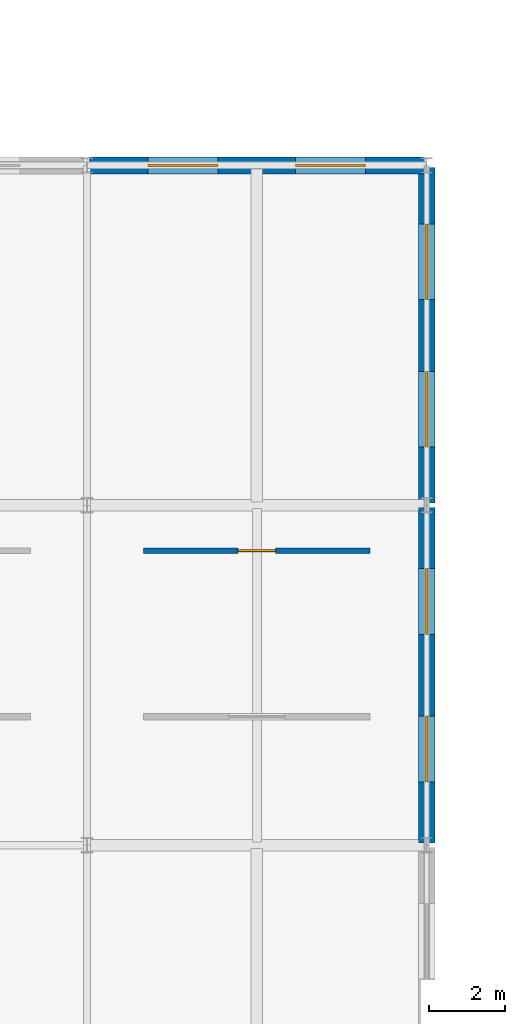
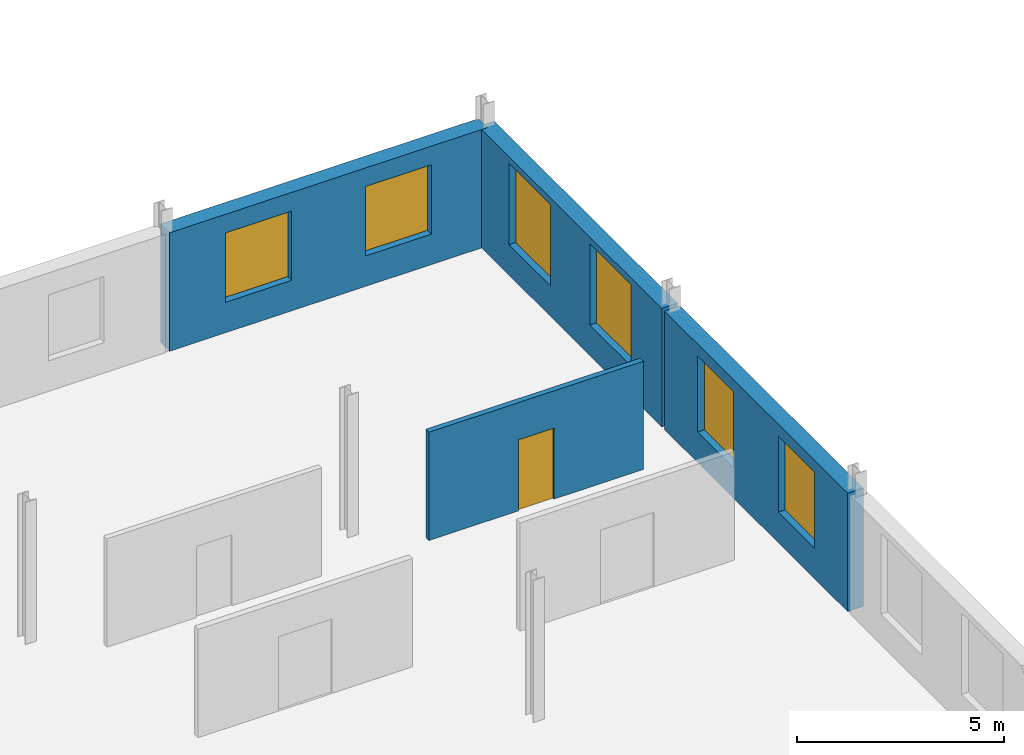
# One storey, part 141 of 161: 6 windows, 4 walls, 1 door, 7 openings.
"""IFC4 building model written with IfcOpenShell, lengths in metres."""

from ifc_helpers import new_model, si_unit, direction, frame, frame_2d, origin, place, context, subcontext, project, spatial, rectangle, extrude, material, layer, layer_set, type_object, element, fill, save


model = new_model("IFC4")

# Units and contexts
model_context = context("Model", 3, precision=1e-05, world=origin(), true_north=direction((0.0, 1.0)))
body_context = subcontext(model_context, "Body", "Model", "MODEL_VIEW")
ifc_project = project(units=[si_unit("LENGTHUNIT", "METRE"), si_unit("AREAUNIT", "SQUARE_METRE"), si_unit("VOLUMEUNIT", "CUBIC_METRE"), si_unit("PLANEANGLEUNIT", "RADIAN"), si_unit("MASSUNIT", "GRAM", prefix="KILO")], contexts=[model_context])

# Site, building, storey
site_placement = place(None, origin())
site = spatial("IfcSite", under=ifc_project, at=site_placement, CompositionType="ELEMENT")
building_placement = place(site_placement, origin())
building = spatial("IfcBuilding", under=site, at=building_placement, Name="Kildeholm Park Wholesale Market", CompositionType="ELEMENT")
storey_placement = place(building_placement, frame((0.0, 0.0, 5.39990234375)))
storey = spatial("IfcBuildingStorey", under=building, at=storey_placement, Name="L01", CompositionType="ELEMENT", Elevation=5.39990234375)

# Wall, openings, windows
ifc_material_1 = material(Name="Insulated clinker brick and glazed ceramic mosaic facade wall", Category="masonry")
ifc_layer_1 = layer(ifc_material_1, 0.43994140625)
ifc_layer_set_1 = layer_set([ifc_layer_1], Name="Insulated clinker brick and glazed ceramic mosaic facade wall")
wall_type_1 = type_object("IfcWallType", Name="Exterior wall W-EX3 440 mm", PredefinedType="SOLIDWALL", material=ifc_layer_set_1)
wall_1_placement = place(storey_placement, frame((189.06005859375, 27.0, 0.0), z_axis=(0.0, 0.0, 1.0), x_axis=(1.0, 0.0, 0.0)))
wall_1 = element("IfcWall", 1, at=wall_1_placement, inside=storey, type_object=wall_type_1, Name="Exterior wall V5E-L01-N.8 WL-0604", PredefinedType="SOLIDWALL", context=body_context, shape_type="SweptSolid", body=[
    extrude(rectangle(XDim=8.8798828125, YDim=0.43994140625, at=frame_2d((4.43994140625, 0.0))), origin(), (0.0, 0.0, 1.0), 3.5),
])
opening_1_placement = place(wall_1_placement, frame((1.56103515625, 0.0, 0.89990234375)))
opening_1 = element("IfcOpeningElement", 2, at=opening_1_placement, cuts=wall_1, Name="Opening WN-30", PredefinedType="OPENING", context=body_context, shape_type="SweptSolid", body=[
    extrude(rectangle(XDim=1.85009765625, YDim=2.050048828125, at=frame_2d((0.925048828125, 1.02490234375))), frame((0.0, 0.22998046875, 0.0), z_axis=(0.0, -1.0, 0.0), x_axis=(1.0, 0.0, 0.0)), (0.0, 0.0, 1.0), 0.4599609375),
])
opening_2_placement = place(wall_1_placement, frame((5.468994140625, 0.0, 0.89990234375)))
opening_2 = element("IfcOpeningElement", 3, at=opening_2_placement, cuts=wall_1, Name="Opening WN-30", PredefinedType="OPENING", context=body_context, shape_type="SweptSolid", body=[
    extrude(rectangle(XDim=1.85009765625, YDim=2.050048828125, at=frame_2d((0.925048828125, 1.02490234375))), frame((0.0, 0.22998046875, 0.0), z_axis=(0.0, -1.0, 0.0), x_axis=(1.0, 0.0, 0.0)), (0.0, 0.0, 1.0), 0.4599609375),
])
ifc_material_2 = material(Name="Thermally broken aluminium and triple-glazed low-E glass", Category="aluminium")
window_type_1 = type_object("IfcWindowType", Name="Window WN-30 1850x2050", PartitioningType="DOUBLE_PANEL_VERTICAL", PredefinedType="WINDOW", material=ifc_material_2)
window_1_placement = place(opening_1_placement, origin())
window_1 = element("IfcWindow", 4, at=window_1_placement, inside=storey, type_object=window_type_1, Name="Window V5E-L01-N.8.1 WIN-0402", OverallHeight=2.050048828125, OverallWidth=1.85009765625, PartitioningType="SINGLE_PANEL", PredefinedType="WINDOW", context=body_context, shape_type="SweptSolid", body=[
    extrude(rectangle(XDim=1.85009765625, YDim=2.050048828125, at=frame_2d((0.925048828125, 1.02490234375))), frame((0.0, 0.030029296875, 0.0), z_axis=(0.0, -1.0, 0.0), x_axis=(1.0, 0.0, 0.0)), (0.0, 0.0, 1.0), 0.06005859375),
])
fill(opening_1, window_1)
window_2_placement = place(opening_2_placement, origin())
window_2 = element("IfcWindow", 5, at=window_2_placement, inside=storey, type_object=window_type_1, Name="Window V5E-L01-N.8.2 WIN-0403", OverallHeight=2.050048828125, OverallWidth=1.85009765625, PartitioningType="SINGLE_PANEL", PredefinedType="WINDOW", context=body_context, shape_type="SweptSolid", body=[
    extrude(rectangle(XDim=1.85009765625, YDim=2.050048828125, at=frame_2d((0.925048828125, 1.02490234375))), frame((0.0, 0.030029296875, 0.0), z_axis=(0.0, -1.0, 0.0), x_axis=(1.0, 0.0, 0.0)), (0.0, 0.0, 1.0), 0.06005859375),
])
fill(opening_2, window_2)

wall_2_placement = place(storey_placement, frame((198.0, 9.06005859375, 0.0), z_axis=(0.0, 0.0, 1.0), x_axis=(0.0, 1.0, 0.0)))
wall_2 = element("IfcWall", 6, at=wall_2_placement, inside=storey, type_object=wall_type_1, Name="Exterior wall V5E-L01-E.2 WL-0609", PredefinedType="SOLIDWALL", context=body_context, shape_type="SweptSolid", body=[
    extrude(rectangle(XDim=8.8798828125, YDim=0.43994140625, at=frame_2d((4.43994140625, 0.0))), origin(), (0.0, 0.0, 1.0), 3.5),
])
opening_3_placement = place(wall_2_placement, frame((1.611083984375, 0.0, 0.89990234375)))
opening_3 = element("IfcOpeningElement", 7, at=opening_3_placement, cuts=wall_2, Name="Opening WN-25", PredefinedType="OPENING", context=body_context, shape_type="SweptSolid", body=[
    extrude(rectangle(XDim=1.75, YDim=2.25, at=frame_2d((0.875, 1.125))), frame((0.0, 0.22998046875, 0.0), z_axis=(0.0, -1.0, 0.0), x_axis=(1.0, 0.0, 0.0)), (0.0, 0.0, 1.0), 0.4599609375),
])
opening_4_placement = place(wall_2_placement, frame((5.51904296875, 0.0, 0.89990234375)))
opening_4 = element("IfcOpeningElement", 8, at=opening_4_placement, cuts=wall_2, Name="Opening WN-25", PredefinedType="OPENING", context=body_context, shape_type="SweptSolid", body=[
    extrude(rectangle(XDim=1.75, YDim=2.25, at=frame_2d((0.875, 1.125))), frame((0.0, 0.22998046875, 0.0), z_axis=(0.0, -1.0, 0.0), x_axis=(1.0, 0.0, 0.0)), (0.0, 0.0, 1.0), 0.4599609375),
])
window_type_2 = type_object("IfcWindowType", Name="Window WN-25 1750x2250", PartitioningType="DOUBLE_PANEL_VERTICAL", PredefinedType="WINDOW", material=ifc_material_2)
window_3_placement = place(opening_3_placement, origin())
window_3 = element("IfcWindow", 9, at=window_3_placement, inside=storey, type_object=window_type_2, Name="Window V5E-L01-E.2.1 WIN-0410", OverallHeight=2.25, OverallWidth=1.75, PartitioningType="SINGLE_PANEL", PredefinedType="WINDOW", context=body_context, shape_type="SweptSolid", body=[
    extrude(rectangle(XDim=1.75, YDim=2.25, at=frame_2d((0.875, 1.125))), frame((0.0, 0.030029296875, 0.0), z_axis=(0.0, -1.0, 0.0), x_axis=(1.0, 0.0, 0.0)), (0.0, 0.0, 1.0), 0.06005859375),
])
fill(opening_3, window_3)
window_4_placement = place(opening_4_placement, origin())
window_4 = element("IfcWindow", 10, at=window_4_placement, inside=storey, type_object=window_type_2, Name="Window V5E-L01-E.2.2 WIN-0411", OverallHeight=2.25, OverallWidth=1.75, PartitioningType="SINGLE_PANEL", PredefinedType="WINDOW", context=body_context, shape_type="SweptSolid", body=[
    extrude(rectangle(XDim=1.75, YDim=2.25, at=frame_2d((0.875, 1.125))), frame((0.0, 0.030029296875, 0.0), z_axis=(0.0, -1.0, 0.0), x_axis=(1.0, 0.0, 0.0)), (0.0, 0.0, 1.0), 0.06005859375),
])
fill(opening_4, window_4)

wall_3_placement = place(storey_placement, frame((198.0, 18.06005859375, 0.0), z_axis=(0.0, 0.0, 1.0), x_axis=(0.0, 1.0, 0.0)))
wall_3 = element("IfcWall", 11, at=wall_3_placement, inside=storey, type_object=wall_type_1, Name="Exterior wall V5E-L01-E.3 WL-0610", PredefinedType="SOLIDWALL", context=body_context, shape_type="SweptSolid", body=[
    extrude(rectangle(XDim=8.8798828125, YDim=0.43994140625, at=frame_2d((4.43994140625, 0.0))), origin(), (0.0, 0.0, 1.0), 3.5),
])
opening_5_placement = place(wall_3_placement, frame((1.486083984375, 0.0, 0.89990234375)))
opening_5 = element("IfcOpeningElement", 12, at=opening_5_placement, cuts=wall_3, Name="Opening WN-16", PredefinedType="OPENING", context=body_context, shape_type="SweptSolid", body=[
    extrude(rectangle(XDim=2.0, YDim=2.39990234375, at=frame_2d((1.0, 1.199951171875))), frame((0.0, 0.22998046875, 0.0), z_axis=(0.0, -1.0, 0.0), x_axis=(1.0, 0.0, 0.0)), (0.0, 0.0, 1.0), 0.4599609375),
])
opening_6_placement = place(wall_3_placement, frame((5.39404296875, 0.0, 0.89990234375)))
opening_6 = element("IfcOpeningElement", 13, at=opening_6_placement, cuts=wall_3, Name="Opening WN-16", PredefinedType="OPENING", context=body_context, shape_type="SweptSolid", body=[
    extrude(rectangle(XDim=2.0, YDim=2.39990234375, at=frame_2d((1.0, 1.199951171875))), frame((0.0, 0.22998046875, 0.0), z_axis=(0.0, -1.0, 0.0), x_axis=(1.0, 0.0, 0.0)), (0.0, 0.0, 1.0), 0.4599609375),
])
window_type_3 = type_object("IfcWindowType", Name="Window WN-16 2000x2400", PartitioningType="TRIPLE_PANEL_VERTICAL", PredefinedType="WINDOW", material=ifc_material_2)
window_5_placement = place(opening_5_placement, origin())
window_5 = element("IfcWindow", 14, at=window_5_placement, inside=storey, type_object=window_type_3, Name="Window V5E-L01-E.3.1 WIN-0412", OverallHeight=2.39990234375, OverallWidth=2.0, PartitioningType="SINGLE_PANEL", PredefinedType="WINDOW", context=body_context, shape_type="SweptSolid", body=[
    extrude(rectangle(XDim=2.0, YDim=2.39990234375, at=frame_2d((1.0, 1.199951171875))), frame((0.0, 0.030029296875, 0.0), z_axis=(0.0, -1.0, 0.0), x_axis=(1.0, 0.0, 0.0)), (0.0, 0.0, 1.0), 0.06005859375),
])
fill(opening_5, window_5)
window_6_placement = place(opening_6_placement, origin())
window_6 = element("IfcWindow", 15, at=window_6_placement, inside=storey, type_object=window_type_3, Name="Window V5E-L01-E.3.2 WIN-0413", OverallHeight=2.39990234375, OverallWidth=2.0, PartitioningType="SINGLE_PANEL", PredefinedType="WINDOW", context=body_context, shape_type="SweptSolid", body=[
    extrude(rectangle(XDim=2.0, YDim=2.39990234375, at=frame_2d((1.0, 1.199951171875))), frame((0.0, 0.030029296875, 0.0), z_axis=(0.0, -1.0, 0.0), x_axis=(1.0, 0.0, 0.0)), (0.0, 0.0, 1.0), 0.06005859375),
])
fill(opening_6, window_6)

# Wall, opening, door
ifc_material_3 = material(Name="Fire-rated corridor and lobby partition")
ifc_layer_2 = layer(ifc_material_3, 0.14990234375)
ifc_layer_set_2 = layer_set([ifc_layer_2], Name="Fire-rated corridor and lobby partition")
wall_type_2 = type_object("IfcWallType", Name="Partition W-PT04 150 mm", PredefinedType="PARTITIONING", material=ifc_layer_set_2)
wall_4_placement = place(storey_placement, frame((190.5, 16.800048828125, 0.0), z_axis=(0.0, 0.0, 1.0), x_axis=(1.0, 0.0, 0.0)))
wall_4 = element("IfcWall", 16, at=wall_4_placement, inside=storey, type_object=wall_type_2, Name="Interior partition W-V5E-L01-CN8 WL-1045", PredefinedType="PARTITIONING", context=body_context, shape_type="SweptSolid", body=[
    extrude(rectangle(XDim=6.0, YDim=0.14990234375, at=frame_2d((3.0, 0.0))), origin(), (0.0, 0.0, 1.0), 3.2001953125),
])
opening_7_placement = place(wall_4_placement, frame((2.5, 0.0, 0.0)))
opening_7 = element("IfcOpeningElement", 17, at=opening_7_placement, cuts=wall_4, Name="Opening D-IN02", PredefinedType="OPENING", context=body_context, shape_type="SweptSolid", body=[
    extrude(rectangle(XDim=1.0, YDim=2.10009765625, at=frame_2d((0.5, 1.050048828125))), frame((0.0, 0.0849609375, 0.0), z_axis=(0.0, -1.0, 0.0), x_axis=(1.0, 0.0, 0.0)), (0.0, 0.0, 1.0), 0.169921875),
])
ifc_material_4 = material(Name="Hygienic laminate accessible WC doorset")
door_type = type_object("IfcDoorType", Name="Interior door D-IN02 1000x2100", OperationType="NOTDEFINED", PredefinedType="DOOR", material=ifc_material_4)
door_placement = place(opening_7_placement, origin())
door = element("IfcDoor", 18, at=door_placement, inside=storey, type_object=door_type, Name="Interior door V5E-L01-CN8 DR-0320 WL-1045", OperationType="SINGLE_SWING_RIGHT", OverallHeight=2.10009765625, OverallWidth=1.0, PredefinedType="DOOR", context=body_context, shape_type="SweptSolid", body=[
    extrude(rectangle(XDim=1.0, YDim=2.10009765625, at=frame_2d((0.5, 1.050048828125))), frame((0.0, 0.02490234375, 0.0), z_axis=(0.0, -1.0, 0.0), x_axis=(1.0, 0.0, 0.0)), (0.0, 0.0, 1.0), 0.050048828125),
])
fill(opening_7, door)

save(model, "model.ifc")
